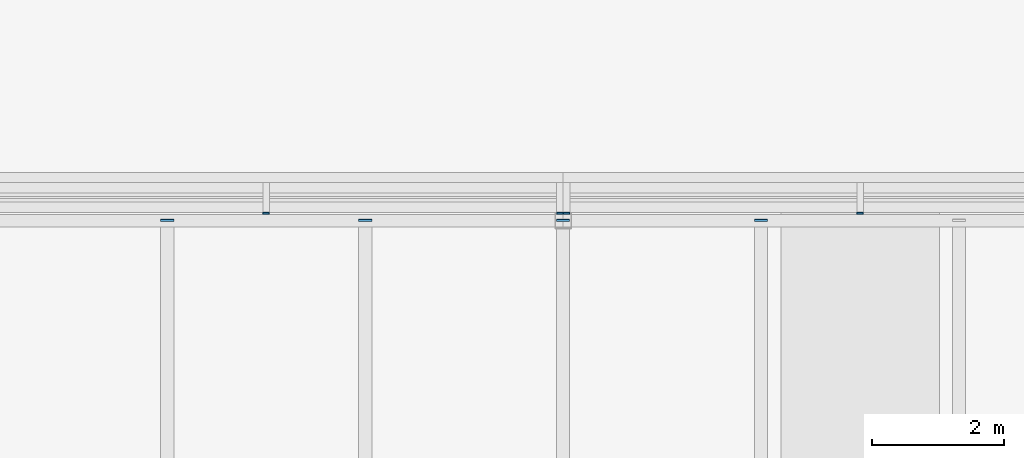
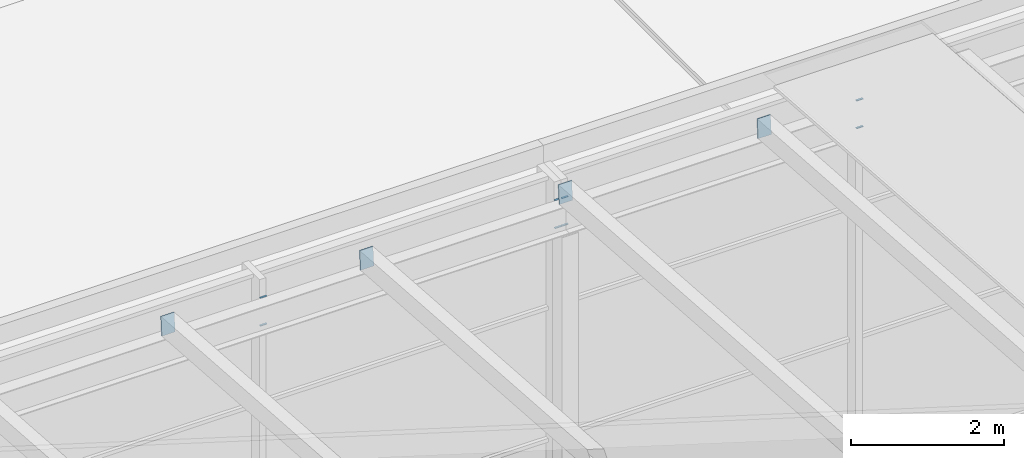
# One storey, part 76 of 84: 12 discrete accessories.
"""IFC4 building model written with IfcOpenShell, lengths in metres."""

from ifc_helpers import new_model, si_unit, direction, frame, origin, origin_2d, place, context, subcontext, project, spatial, rectangle, extrude, material, layer, layer_set, type_object, element, save


model = new_model("IFC4")

# Units and contexts
model_context = context("Model", 3, precision=1e-05, world=origin(), true_north=direction((0.0, 1.0)))
body_context = subcontext(model_context, "Body", "Model", "MODEL_VIEW")
ifc_project = project(units=[si_unit("LENGTHUNIT", "METRE"), si_unit("AREAUNIT", "SQUARE_METRE"), si_unit("VOLUMEUNIT", "CUBIC_METRE"), si_unit("PLANEANGLEUNIT", "RADIAN"), si_unit("MASSUNIT", "GRAM", prefix="KILO")], contexts=[model_context])

# Site, building, storey
site_placement = place(None, origin())
site = spatial("IfcSite", under=ifc_project, at=site_placement, CompositionType="ELEMENT")
building_placement = place(site_placement, origin())
building = spatial("IfcBuilding", under=site, at=building_placement, Name="Silverbay Arena", CompositionType="ELEMENT")
storey_placement = place(building_placement, frame((0.0, 0.0, 47.10009765625)))
storey = spatial("IfcBuildingStorey", under=building, at=storey_placement, Name="ROOF", CompositionType="ELEMENT", Elevation=47.10009765625)

# Discrete accessories
ifc_material_1 = material(Name="Steel S355", Category="steel")
ifc_layer = layer(ifc_material_1, 0.011962890625)
ifc_layer_set = layer_set([ifc_layer], Name="Steel S355")
discrete_accessory_type_1 = type_object("IfcDiscreteAccessoryType", Name="Purlin end plate 12", PredefinedType="USERDEFINED", material=ifc_layer_set)
for number, where, z_axis, x_axis, name in (
    (1, (120.0, 135.0, 8.74951171875), (0.0, 0.996684615823, -0.081362009455), (-1.0, 0.0, 0.0), "Purlin end plate"),
    (2, (123.0, 135.0, 8.74951171875), (0.0, 0.996684615823, -0.081362009455), (-1.0, 0.0, 0.0), "Purlin end plate"),
    (3, (126.0, 135.0, 8.74951171875), (0.0, 0.996684615823, -0.081362009455), (-1.0, 0.0, 0.0), "Purlin end plate"),
    (4, (129.0, 135.0, 8.74951171875), (0.0, 0.996684615823, -0.081362009455), (-1.0, 0.0, 0.0), "Purlin end plate"),
):
    element("IfcDiscreteAccessory", number, at=place(storey_placement, frame(where, z_axis=z_axis, x_axis=x_axis)), inside=storey, type_object=discrete_accessory_type_1, Name=name, ObjectType="END PLATE", PredefinedType="USERDEFINED", context=body_context, shape_type="SweptSolid", body=[
        extrude(rectangle(XDim=0.199951171875, YDim=0.300048828125, at=origin_2d()), origin(), (0.0, 0.0, 1.0), 0.011962890625),
    ])
ifc_material_2 = material(Name="Steel S355", Category="steel")
discrete_accessory_type_2 = type_object("IfcDiscreteAccessoryType", Name="Steel bracket plate", PredefinedType="BRACKET", material=ifc_material_2)
for number, where, z_axis, x_axis, name in (
    (5, (121.5, 135.10986328125, 8.58642578125), (0.0, 0.0, 1.0), (1.0, 0.0, 0.0), "Curtain wall packing plate"),
    (6, (121.5, 135.10986328125, 8.145751953125), (0.0, 0.0, 1.0), (1.0, 0.0, 0.0), "Curtain wall packing plate"),
    (7, (125.949951171875, 135.10986328125, 8.58642578125), (0.0, 0.0, 1.0), (1.0, 0.0, 0.0), "Curtain wall packing plate"),
    (8, (125.949951171875, 135.10986328125, 8.145751953125), (0.0, 0.0, 1.0), (1.0, 0.0, 0.0), "Curtain wall packing plate"),
    (9, (126.050048828125, 135.10986328125, 8.58642578125), (0.0, 0.0, 1.0), (1.0, 0.0, 0.0), "Curtain wall packing plate"),
    (10, (126.050048828125, 135.10986328125, 8.145751953125), (0.0, 0.0, 1.0), (1.0, 0.0, 0.0), "Curtain wall packing plate"),
    (11, (130.5, 135.10986328125, 8.58642578125), (0.0, 0.0, 1.0), (1.0, 0.0, 0.0), "Curtain wall packing plate"),
    (12, (130.5, 135.10986328125, 8.145751953125), (0.0, 0.0, 1.0), (1.0, 0.0, 0.0), "Curtain wall packing plate"),
):
    element("IfcDiscreteAccessory", number, at=place(storey_placement, frame(where, z_axis=z_axis, x_axis=x_axis)), inside=storey, type_object=discrete_accessory_type_2, Name=name, PredefinedType="BRACKET", context=body_context, shape_type="SweptSolid", body=[
        extrude(rectangle(XDim=0.10009765625, YDim=0.030029296875, at=origin_2d()), origin(), (0.0, 0.0, 1.0), 0.0126953125),
    ])

save(model, "model.ifc")
